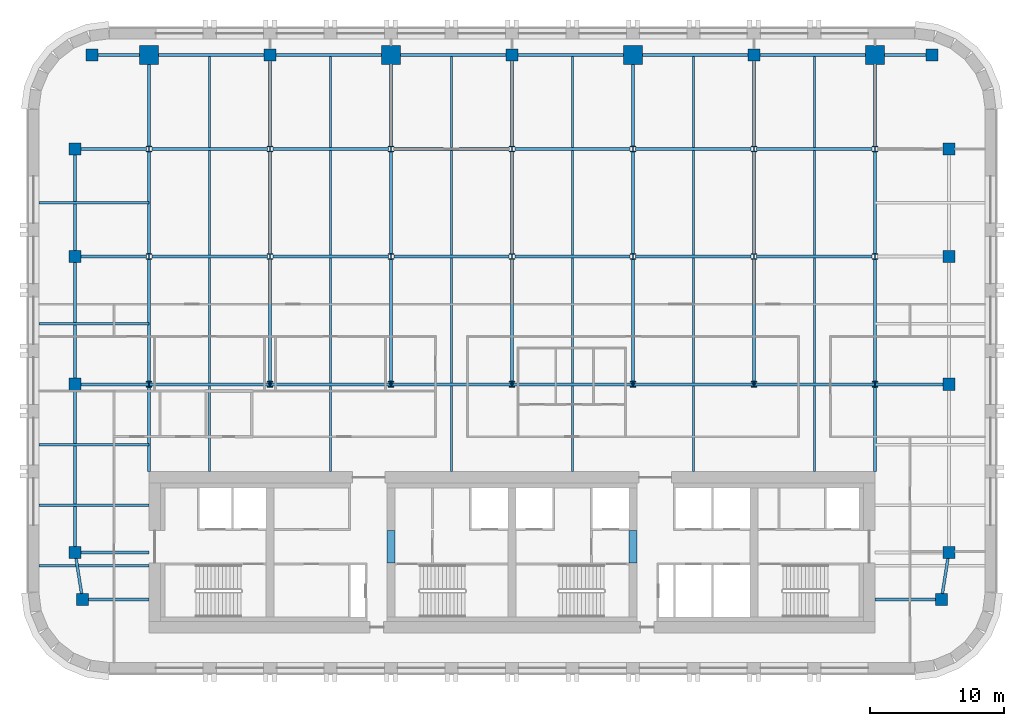
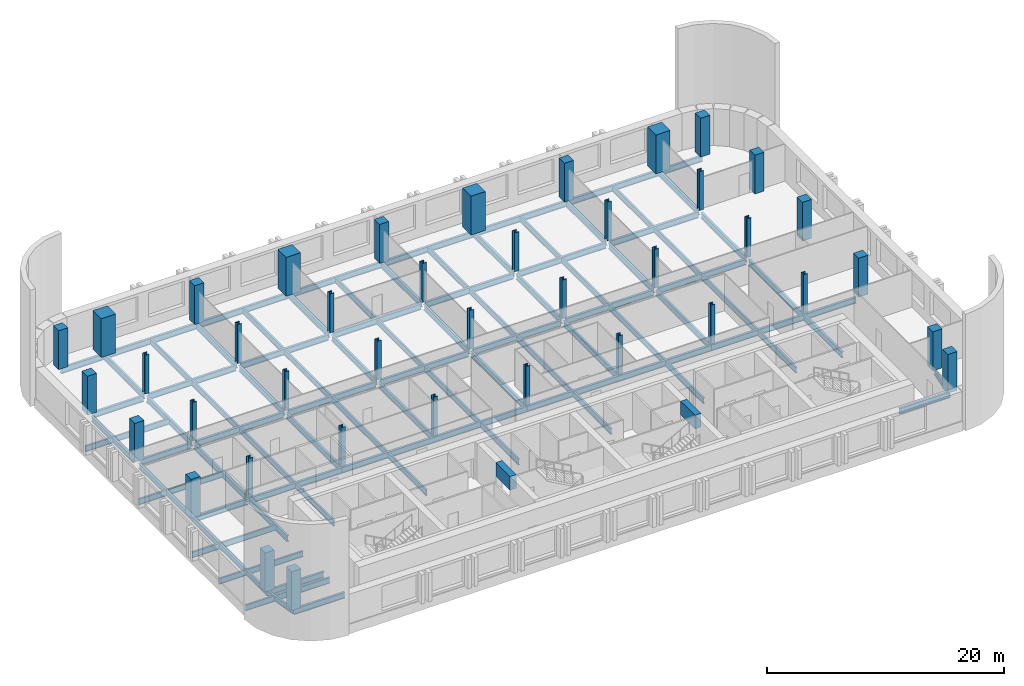
# One storey, part 1 of 9: 64 beams, 40 columns.
"""IFC4 building model written with IfcOpenShell, lengths in metres."""

from ifc_helpers import new_model, si_unit, direction, frame, origin, origin_2d, place, context, subcontext, project, spatial, rectangle, i_section, extrude, material, material_profile, profile_set, type_object, element, save


model = new_model("IFC4")

# Units and contexts
model_context = context("Model", 3, precision=1e-05, world=origin(), true_north=direction((0.0, 1.0)))
body_context = subcontext(model_context, "Body", "Model", "MODEL_VIEW")
ifc_project = project(units=[si_unit("LENGTHUNIT", "METRE"), si_unit("AREAUNIT", "SQUARE_METRE"), si_unit("VOLUMEUNIT", "CUBIC_METRE"), si_unit("PLANEANGLEUNIT", "RADIAN"), si_unit("MASSUNIT", "GRAM", prefix="KILO")], contexts=[model_context])

# Site, building, storey
site_placement = place(None, origin())
site = spatial("IfcSite", under=ifc_project, at=site_placement, CompositionType="ELEMENT")
building_placement = place(site_placement, origin())
building = spatial("IfcBuilding", under=site, at=building_placement, Name="Zellij Exchange Tower", CompositionType="ELEMENT")
storey_placement = place(building_placement, frame((0.0, 0.0, 200.5)))
storey = spatial("IfcBuildingStorey", under=building, at=storey_placement, Name="L46", CompositionType="ELEMENT", Elevation=200.5)

# Columns
ifc_material_1 = material(Name="Concrete C60/75", Category="concrete")
ifc_material_profile_1 = material_profile(ifc_material_1, rectangle(XDim=0.89990234375, YDim=0.89990234375, at=origin_2d()), Name="STR-COLUMN RC900x900 C60/75")
ifc_profile_set_1 = profile_set([ifc_material_profile_1], Name="Concrete C60/75")
column_type_1 = type_object("IfcColumnType", Name="STR-COLUMN RC900x900 C60/75", PredefinedType="COLUMN", material=ifc_profile_set_1)
for number, where, z_axis, x_axis, name in (
    (1, (-31.949951171875, -11.5, 0.0), (0.0, 0.0, 1.0), (1.0, 0.0, 0.0), "C16"),
    (2, (31.949951171875, -11.5, 0.0), (0.0, 0.0, 1.0), (1.0, 0.0, 0.0), "C16"),
    (3, (-32.5, -8.0, 0.0), (0.0, 0.0, 1.0), (1.0, 0.0, 0.0), "C16"),
    (4, (32.5, -8.0, 0.0), (0.0, 0.0, 1.0), (1.0, 0.0, 0.0), "C16"),
    (5, (-32.5, 4.5, 0.0), (0.0, 0.0, 1.0), (1.0, 0.0, 0.0), "C16"),
    (6, (32.5, 4.5, 0.0), (0.0, 0.0, 1.0), (1.0, 0.0, 0.0), "C16"),
    (7, (-32.5, 14.0, 0.0), (0.0, 0.0, 1.0), (1.0, 0.0, 0.0), "C16"),
    (8, (32.5, 14.0, 0.0), (0.0, 0.0, 1.0), (1.0, 0.0, 0.0), "C16"),
    (9, (-32.5, 22.0, 0.0), (0.0, 0.0, 1.0), (1.0, 0.0, 0.0), "C16"),
    (10, (32.5, 22.0, 0.0), (0.0, 0.0, 1.0), (1.0, 0.0, 0.0), "C16"),
    (11, (-31.25, 29.0, 0.0), (0.0, 0.0, 1.0), (1.0, 0.0, 0.0), "C16"),
    (12, (-18.0, 29.0, 0.0), (0.0, 0.0, 1.0), (1.0, 0.0, 0.0), "C16"),
    (13, (0.0, 29.0, 0.0), (0.0, 0.0, 1.0), (1.0, 0.0, 0.0), "C16"),
    (14, (18.0, 29.0, 0.0), (0.0, 0.0, 1.0), (1.0, 0.0, 0.0), "C16"),
    (15, (31.25, 29.0, 0.0), (0.0, 0.0, 1.0), (1.0, 0.0, 0.0), "C16"),
):
    element("IfcColumn", number, at=place(storey_placement, frame(where, z_axis=z_axis, x_axis=x_axis)), inside=storey, type_object=column_type_1, Name=name, PredefinedType="COLUMN", context=body_context, shape_type="SweptSolid", body=[
        extrude(rectangle(XDim=0.89990234375, YDim=0.89990234375, at=origin_2d()), origin(), (0.0, 0.0, 1.0), 4.0),
    ])
ifc_material_2 = material(Name="Structural steel ASTM A913 Gr 65", Category="steel")
ifc_material_profile_2 = material_profile(ifc_material_2, i_section(OverallWidth=0.408935546875, OverallDepth=0.424072265625, WebThickness=0.03271484375, FlangeThickness=0.052490234375, at=origin_2d()), Name="W14x283")
ifc_profile_set_2 = profile_set([ifc_material_profile_2], Name="Structural steel ASTM A913 Gr 65")
column_type_2 = type_object("IfcColumnType", Name="STR-COLUMN W14x283", PredefinedType="COLUMN", material=ifc_profile_set_2)
for number, where, z_axis, x_axis, name in (
    (16, (-27.0, 4.5, 0.0), (0.0, 0.0, 1.0), (1.0, 0.0, 0.0), "C3"),
    (17, (-18.0, 4.5, 0.0), (0.0, 0.0, 1.0), (1.0, 0.0, 0.0), "C3"),
    (18, (-9.0, 4.5, 0.0), (0.0, 0.0, 1.0), (1.0, 0.0, 0.0), "C3"),
    (19, (0.0, 4.5, 0.0), (0.0, 0.0, 1.0), (1.0, 0.0, 0.0), "C3"),
    (20, (9.0, 4.5, 0.0), (0.0, 0.0, 1.0), (1.0, 0.0, 0.0), "C3"),
    (21, (18.0, 4.5, 0.0), (0.0, 0.0, 1.0), (1.0, 0.0, 0.0), "C3"),
    (22, (27.0, 4.5, 0.0), (0.0, 0.0, 1.0), (1.0, 0.0, 0.0), "C3"),
    (23, (-27.0, 14.0, 0.0), (0.0, 0.0, 1.0), (1.0, 0.0, 0.0), "C3"),
    (24, (-18.0, 14.0, 0.0), (0.0, 0.0, 1.0), (1.0, 0.0, 0.0), "C3"),
    (25, (-9.0, 14.0, 0.0), (0.0, 0.0, 1.0), (1.0, 0.0, 0.0), "C3"),
    (26, (0.0, 14.0, 0.0), (0.0, 0.0, 1.0), (1.0, 0.0, 0.0), "C3"),
    (27, (9.0, 14.0, 0.0), (0.0, 0.0, 1.0), (1.0, 0.0, 0.0), "C3"),
    (28, (18.0, 14.0, 0.0), (0.0, 0.0, 1.0), (1.0, 0.0, 0.0), "C3"),
    (29, (27.0, 14.0, 0.0), (0.0, 0.0, 1.0), (1.0, 0.0, 0.0), "C3"),
    (30, (-27.0, 22.0, 0.0), (0.0, 0.0, 1.0), (1.0, 0.0, 0.0), "C3"),
    (31, (-18.0, 22.0, 0.0), (0.0, 0.0, 1.0), (1.0, 0.0, 0.0), "C3"),
    (32, (-9.0, 22.0, 0.0), (0.0, 0.0, 1.0), (1.0, 0.0, 0.0), "C3"),
    (33, (0.0, 22.0, 0.0), (0.0, 0.0, 1.0), (1.0, 0.0, 0.0), "C3"),
    (34, (9.0, 22.0, 0.0), (0.0, 0.0, 1.0), (1.0, 0.0, 0.0), "C3"),
    (35, (18.0, 22.0, 0.0), (0.0, 0.0, 1.0), (1.0, 0.0, 0.0), "C3"),
    (36, (27.0, 22.0, 0.0), (0.0, 0.0, 1.0), (1.0, 0.0, 0.0), "C3"),
):
    element("IfcColumn", number, at=place(storey_placement, frame(where, z_axis=z_axis, x_axis=x_axis)), inside=storey, type_object=column_type_2, Name=name, PredefinedType="COLUMN", context=body_context, shape_type="SweptSolid", body=[
        extrude(i_section(OverallWidth=0.408935546875, OverallDepth=0.424072265625, WebThickness=0.03271484375, FlangeThickness=0.052490234375, at=origin_2d()), origin(), (0.0, 0.0, 1.0), 4.0),
    ])
ifc_material_profile_3 = material_profile(ifc_material_1, rectangle(XDim=1.39990234375, YDim=1.39990234375, at=origin_2d()), Name="STR-MEGA COLUMN RC1400x1400 C60/75")
ifc_profile_set_3 = profile_set([ifc_material_profile_3], Name="Concrete C60/75")
column_type_3 = type_object("IfcColumnType", Name="STR-MEGA COLUMN RC1400x1400 C60/75", PredefinedType="COLUMN", material=ifc_profile_set_3)
for number, where, z_axis, x_axis, name in (
    (37, (-27.0, 29.0, 0.0), (0.0, 0.0, 1.0), (1.0, 0.0, 0.0), "MC3"),
    (38, (-9.0, 29.0, 0.0), (0.0, 0.0, 1.0), (1.0, 0.0, 0.0), "MC3"),
    (39, (9.0, 29.0, 0.0), (0.0, 0.0, 1.0), (1.0, 0.0, 0.0), "MC3"),
    (40, (27.0, 29.0, 0.0), (0.0, 0.0, 1.0), (1.0, 0.0, 0.0), "MC3"),
):
    element("IfcColumn", number, at=place(storey_placement, frame(where, z_axis=z_axis, x_axis=x_axis)), inside=storey, type_object=column_type_3, Name=name, PredefinedType="COLUMN", context=body_context, shape_type="SweptSolid", body=[
        extrude(rectangle(XDim=1.39990234375, YDim=1.39990234375, at=origin_2d()), origin(), (0.0, 0.0, 1.0), 4.0),
    ])

# Beams
ifc_material_profile_4 = material_profile(ifc_material_1, rectangle(XDim=0.60009765625, YDim=1.39990234375, at=origin_2d()), Name="CORE-CB 600x1400 C60/75")
ifc_profile_set_4 = profile_set([ifc_material_profile_4], Name="Concrete C60/75")
beam_type_1 = type_object("IfcBeamType", Name="CORE-CB 600x1400 C60/75", PredefinedType="BEAM", material=ifc_profile_set_4)
for number, where, z_axis, x_axis, name in (
    (41, (-9.0, -8.800048828125, 3.10009765625), (0.0, 1.0, 0.0), (-1.0, 0.0, 0.0), "Core coupling beam x -9 L46"),
    (42, (9.0, -8.800048828125, 3.10009765625), (0.0, 1.0, 0.0), (-1.0, 0.0, 0.0), "Core coupling beam x 9 L46"),
):
    element("IfcBeam", number, at=place(storey_placement, frame(where, z_axis=z_axis, x_axis=x_axis)), inside=storey, type_object=beam_type_1, Name=name, PredefinedType="BEAM", context=body_context, shape_type="SweptSolid", body=[
        extrude(rectangle(XDim=0.60009765625, YDim=1.39990234375, at=origin_2d()), origin(), (0.0, 0.0, 1.0), 2.425048828125),
    ])
ifc_material_3 = material(Name="Structural steel ASTM A992 Gr 50", Category="steel")
ifc_material_profile_5 = material_profile(ifc_material_3, i_section(OverallWidth=0.177978515625, OverallDepth=0.599365234375, WebThickness=0.010009765625, FlangeThickness=0.012939453125, at=origin_2d()), Name="W24x55")
ifc_profile_set_5 = profile_set([ifc_material_profile_5], Name="Structural steel ASTM A992 Gr 50")
beam_type_2 = type_object("IfcBeamType", Name="STR-BEAM W24x55", PredefinedType="BEAM", material=ifc_profile_set_5)
for number, where, z_axis, x_axis, name in (
    (43, (-22.5, -2.0, -0.499755859375), (0.0, 1.0, 0.0), (-1.0, 0.0, 0.0), "B4"),
    (44, (-13.5, -2.0, -0.499755859375), (0.0, 1.0, 0.0), (-1.0, 0.0, 0.0), "B4"),
    (45, (-4.5, -2.0, -0.499755859375), (0.0, 1.0, 0.0), (-1.0, 0.0, 0.0), "B4"),
    (46, (4.5, -2.0, -0.499755859375), (0.0, 1.0, 0.0), (-1.0, 0.0, 0.0), "B4"),
    (47, (13.5, -2.0, -0.499755859375), (0.0, 1.0, 0.0), (-1.0, 0.0, 0.0), "B4"),
    (48, (22.5, -2.0, -0.499755859375), (0.0, 1.0, 0.0), (-1.0, 0.0, 0.0), "B4"),
):
    element("IfcBeam", number, at=place(storey_placement, frame(where, z_axis=z_axis, x_axis=x_axis)), inside=storey, type_object=beam_type_2, Name=name, PredefinedType="BEAM", context=body_context, shape_type="SweptSolid", body=[
        extrude(i_section(OverallWidth=0.177978515625, OverallDepth=0.599365234375, WebThickness=0.010009765625, FlangeThickness=0.012939453125, at=origin_2d()), origin(), (0.0, 0.0, 1.0), 31.1142578125),
    ])
for number, where, z_axis, x_axis, name in (
    (49, (-35.199951171875, -9.0, -0.499755859375), (1.0, 0.0, 0.0), (0.0, 1.0, 0.0), "B4"),
    (50, (-35.199951171875, -4.5, -0.499755859375), (1.0, 0.0, 0.0), (0.0, 1.0, 0.0), "B4"),
    (51, (-35.199951171875, 0.0, -0.499755859375), (1.0, 0.0, 0.0), (0.0, 1.0, 0.0), "B4"),
    (52, (-35.199951171875, 9.0, -0.499755859375), (1.0, 0.0, 0.0), (0.0, 1.0, 0.0), "B4"),
    (53, (-35.199951171875, 18.0, -0.499755859375), (1.0, 0.0, 0.0), (0.0, 1.0, 0.0), "B4"),
):
    element("IfcBeam", number, at=place(storey_placement, frame(where, z_axis=z_axis, x_axis=x_axis)), inside=storey, type_object=beam_type_2, Name=name, PredefinedType="BEAM", context=body_context, shape_type="SweptSolid", body=[
        extrude(i_section(OverallWidth=0.177978515625, OverallDepth=0.599365234375, WebThickness=0.010009765625, FlangeThickness=0.012939453125, at=origin_2d()), origin(), (0.0, 0.0, 1.0), 8.199951171875),
    ])
ifc_material_profile_6 = material_profile(ifc_material_3, i_section(OverallWidth=0.209228515625, OverallDepth=0.533447265625, WebThickness=0.01025390625, FlangeThickness=0.015625, at=origin_2d()), Name="W21x62")
ifc_profile_set_6 = profile_set([ifc_material_profile_6], Name="Structural steel ASTM A992 Gr 50")
beam_type_3 = type_object("IfcBeamType", Name="STR-EDGE GIRDER W21x62", PredefinedType="BEAM", material=ifc_profile_set_6)
beam_1_placement = place(storey_placement, frame((-31.949951171875, -11.5, -0.466796875), z_axis=(-0.155251283593, 0.987875011802, 0.0), x_axis=(-0.987875011802, -0.155251283593, 0.0)))
element("IfcBeam", 54, at=beam_1_placement, inside=storey, type_object=beam_type_3, Name="EB3", PredefinedType="BEAM", context=body_context, shape_type="SweptSolid", body=[
    extrude(i_section(OverallWidth=0.209228515625, OverallDepth=0.533447265625, WebThickness=0.01025390625, FlangeThickness=0.015625, at=origin_2d()), origin(), (0.0, 0.0, 1.0), 3.54296875),
])
beam_2_placement = place(storey_placement, frame((-32.5, -8.0, -0.466796875), z_axis=(0.0, 1.0, 0.0), x_axis=(-1.0, 0.0, 0.0)))
element("IfcBeam", 55, at=beam_2_placement, inside=storey, type_object=beam_type_3, Name="EB3", PredefinedType="BEAM", context=body_context, shape_type="SweptSolid", body=[
    extrude(i_section(OverallWidth=0.209228515625, OverallDepth=0.533447265625, WebThickness=0.01025390625, FlangeThickness=0.015625, at=origin_2d()), origin(), (0.0, 0.0, 1.0), 12.5),
])
beam_3_placement = place(storey_placement, frame((-32.5, 4.5, -0.466796875), z_axis=(0.0, 1.0, 0.0), x_axis=(-1.0, 0.0, 0.0)))
element("IfcBeam", 56, at=beam_3_placement, inside=storey, type_object=beam_type_3, Name="EB3", PredefinedType="BEAM", context=body_context, shape_type="SweptSolid", body=[
    extrude(i_section(OverallWidth=0.209228515625, OverallDepth=0.533447265625, WebThickness=0.01025390625, FlangeThickness=0.015625, at=origin_2d()), origin(), (0.0, 0.0, 1.0), 9.050048828125),
])
beam_4_placement = place(storey_placement, frame((-32.5, 14.449951171875, -0.466796875), z_axis=(0.0, 1.0, 0.0), x_axis=(-1.0, 0.0, 0.0)))
element("IfcBeam", 57, at=beam_4_placement, inside=storey, type_object=beam_type_3, Name="EB3", PredefinedType="BEAM", context=body_context, shape_type="SweptSolid", body=[
    extrude(i_section(OverallWidth=0.209228515625, OverallDepth=0.533447265625, WebThickness=0.01025390625, FlangeThickness=0.015625, at=origin_2d()), origin(), (0.0, 0.0, 1.0), 7.10009765625),
])
beam_5_placement = place(storey_placement, frame((31.949951171875, -11.5, -0.466796875), z_axis=(0.155251283593, 0.987875011802, 0.0), x_axis=(-0.987875011802, 0.155251283593, 0.0)))
element("IfcBeam", 58, at=beam_5_placement, inside=storey, type_object=beam_type_3, Name="EB3", PredefinedType="BEAM", context=body_context, shape_type="SweptSolid", body=[
    extrude(i_section(OverallWidth=0.209228515625, OverallDepth=0.533447265625, WebThickness=0.01025390625, FlangeThickness=0.015625, at=origin_2d()), origin(), (0.0, 0.0, 1.0), 3.54296875),
])
ifc_material_profile_7 = material_profile(ifc_material_3, i_section(OverallWidth=0.228271484375, OverallDepth=0.607177734375, WebThickness=0.01123046875, FlangeThickness=0.017333984375, at=origin_2d()), Name="W24x76")
ifc_profile_set_7 = profile_set([ifc_material_profile_7], Name="Structural steel ASTM A992 Gr 50")
beam_type_4 = type_object("IfcBeamType", Name="STR-GIRDER W24x76", PredefinedType="BEAM", material=ifc_profile_set_7)
for number, where, z_axis, x_axis, name in (
    (59, (-31.949951171875, -11.5, -0.50341796875), (1.0, 0.0, 0.0), (0.0, 1.0, 0.0), "G2"),
    (60, (27.0, -11.5, -0.50341796875), (1.0, 0.0, 0.0), (0.0, 1.0, 0.0), "G2"),
):
    element("IfcBeam", number, at=place(storey_placement, frame(where, z_axis=z_axis, x_axis=x_axis)), inside=storey, type_object=beam_type_4, Name=name, PredefinedType="BEAM", context=body_context, shape_type="SweptSolid", body=[
        extrude(i_section(OverallWidth=0.228271484375, OverallDepth=0.607177734375, WebThickness=0.01123046875, FlangeThickness=0.017333984375, at=origin_2d()), origin(), (0.0, 0.0, 1.0), 4.949951171875),
    ])
beam_6_placement = place(storey_placement, frame((-32.5, -8.0, -0.50341796875), z_axis=(1.0, 0.0, 0.0), x_axis=(0.0, 1.0, 0.0)))
element("IfcBeam", 61, at=beam_6_placement, inside=storey, type_object=beam_type_4, Name="G2", PredefinedType="BEAM", context=body_context, shape_type="SweptSolid", body=[
    extrude(i_section(OverallWidth=0.228271484375, OverallDepth=0.607177734375, WebThickness=0.01123046875, FlangeThickness=0.017333984375, at=origin_2d()), origin(), (0.0, 0.0, 1.0), 5.5),
])
beam_7_placement = place(storey_placement, frame((-32.5, 4.5, -0.50341796875), z_axis=(1.0, 0.0, 0.0), x_axis=(0.0, 1.0, 0.0)))
element("IfcBeam", 62, at=beam_7_placement, inside=storey, type_object=beam_type_4, Name="G2", PredefinedType="BEAM", context=body_context, shape_type="SweptSolid", body=[
    extrude(i_section(OverallWidth=0.228271484375, OverallDepth=0.607177734375, WebThickness=0.01123046875, FlangeThickness=0.017333984375, at=origin_2d()), origin(), (0.0, 0.0, 1.0), 14.5),
])
for number, where, z_axis, x_axis, name in (
    (63, (-18.0, 4.5, -0.50341796875), (1.0, 0.0, 0.0), (0.0, 1.0, 0.0), "G2"),
    (64, (0.0, 4.5, -0.50341796875), (1.0, 0.0, 0.0), (0.0, 1.0, 0.0), "G2"),
):
    element("IfcBeam", number, at=place(storey_placement, frame(where, z_axis=z_axis, x_axis=x_axis)), inside=storey, type_object=beam_type_4, Name=name, PredefinedType="BEAM", context=body_context, shape_type="SweptSolid", body=[
        extrude(i_section(OverallWidth=0.228271484375, OverallDepth=0.607177734375, WebThickness=0.01123046875, FlangeThickness=0.017333984375, at=origin_2d()), origin(), (0.0, 0.0, 1.0), 18.0),
    ])
beam_8_placement = place(storey_placement, frame((18.0, 4.5, -0.50341796875), z_axis=(1.0, 0.0, 0.0), x_axis=(0.0, 1.0, 0.0)))
element("IfcBeam", 65, at=beam_8_placement, inside=storey, type_object=beam_type_4, Name="G2", PredefinedType="BEAM", context=body_context, shape_type="SweptSolid", body=[
    extrude(i_section(OverallWidth=0.228271484375, OverallDepth=0.607177734375, WebThickness=0.01123046875, FlangeThickness=0.017333984375, at=origin_2d()), origin(), (0.0, 0.0, 1.0), 14.050048828125),
])
beam_9_placement = place(storey_placement, frame((-32.050048828125, 14.0, -0.50341796875), z_axis=(1.0, 0.0, 0.0), x_axis=(0.0, 1.0, 0.0)))
element("IfcBeam", 66, at=beam_9_placement, inside=storey, type_object=beam_type_4, Name="G2", PredefinedType="BEAM", context=body_context, shape_type="SweptSolid", body=[
    extrude(i_section(OverallWidth=0.228271484375, OverallDepth=0.607177734375, WebThickness=0.01123046875, FlangeThickness=0.017333984375, at=origin_2d()), origin(), (0.0, 0.0, 1.0), 4.845458984375),
])
for number, where, z_axis, x_axis, name in (
    (67, (-26.79541015625, 14.0, -0.50341796875), (1.0, 0.0, 0.0), (0.0, 1.0, 0.0), "G2"),
    (68, (-17.79541015625, 14.0, -0.50341796875), (1.0, 0.0, 0.0), (0.0, 1.0, 0.0), "G2"),
    (69, (-8.79541015625, 14.0, -0.50341796875), (1.0, 0.0, 0.0), (0.0, 1.0, 0.0), "G2"),
    (70, (0.20458984375, 14.0, -0.50341796875), (1.0, 0.0, 0.0), (0.0, 1.0, 0.0), "G2"),
    (71, (9.20458984375, 14.0, -0.50341796875), (1.0, 0.0, 0.0), (0.0, 1.0, 0.0), "G2"),
    (72, (18.20458984375, 14.0, -0.50341796875), (1.0, 0.0, 0.0), (0.0, 1.0, 0.0), "G2"),
):
    element("IfcBeam", number, at=place(storey_placement, frame(where, z_axis=z_axis, x_axis=x_axis)), inside=storey, type_object=beam_type_4, Name=name, PredefinedType="BEAM", context=body_context, shape_type="SweptSolid", body=[
        extrude(i_section(OverallWidth=0.228271484375, OverallDepth=0.607177734375, WebThickness=0.01123046875, FlangeThickness=0.017333984375, at=origin_2d()), origin(), (0.0, 0.0, 1.0), 8.5908203125),
    ])
beam_10_placement = place(storey_placement, frame((-32.050048828125, 22.0, -0.50341796875), z_axis=(1.0, 0.0, 0.0), x_axis=(0.0, 1.0, 0.0)))
element("IfcBeam", 73, at=beam_10_placement, inside=storey, type_object=beam_type_4, Name="G2", PredefinedType="BEAM", context=body_context, shape_type="SweptSolid", body=[
    extrude(i_section(OverallWidth=0.228271484375, OverallDepth=0.607177734375, WebThickness=0.01123046875, FlangeThickness=0.017333984375, at=origin_2d()), origin(), (0.0, 0.0, 1.0), 4.845458984375),
])
for number, where, z_axis, x_axis, name in (
    (74, (-26.79541015625, 22.0, -0.50341796875), (1.0, 0.0, 0.0), (0.0, 1.0, 0.0), "G2"),
    (75, (-17.79541015625, 22.0, -0.50341796875), (1.0, 0.0, 0.0), (0.0, 1.0, 0.0), "G2"),
    (76, (-8.79541015625, 22.0, -0.50341796875), (1.0, 0.0, 0.0), (0.0, 1.0, 0.0), "G2"),
    (77, (0.20458984375, 22.0, -0.50341796875), (1.0, 0.0, 0.0), (0.0, 1.0, 0.0), "G2"),
    (78, (9.20458984375, 22.0, -0.50341796875), (1.0, 0.0, 0.0), (0.0, 1.0, 0.0), "G2"),
    (79, (18.20458984375, 22.0, -0.50341796875), (1.0, 0.0, 0.0), (0.0, 1.0, 0.0), "G2"),
):
    element("IfcBeam", number, at=place(storey_placement, frame(where, z_axis=z_axis, x_axis=x_axis)), inside=storey, type_object=beam_type_4, Name=name, PredefinedType="BEAM", context=body_context, shape_type="SweptSolid", body=[
        extrude(i_section(OverallWidth=0.228271484375, OverallDepth=0.607177734375, WebThickness=0.01123046875, FlangeThickness=0.017333984375, at=origin_2d()), origin(), (0.0, 0.0, 1.0), 8.5908203125),
    ])
beam_11_placement = place(storey_placement, frame((-31.25, 29.0, -0.50341796875), z_axis=(1.0, 0.0, 0.0), x_axis=(0.0, 1.0, 0.0)))
element("IfcBeam", 80, at=beam_11_placement, inside=storey, type_object=beam_type_4, Name="G2", PredefinedType="BEAM", context=body_context, shape_type="SweptSolid", body=[
    extrude(i_section(OverallWidth=0.228271484375, OverallDepth=0.607177734375, WebThickness=0.01123046875, FlangeThickness=0.017333984375, at=origin_2d()), origin(), (0.0, 0.0, 1.0), 13.25),
])
for number, where, z_axis, x_axis, name in (
    (81, (-18.0, 29.0, -0.50341796875), (1.0, 0.0, 0.0), (0.0, 1.0, 0.0), "G2"),
    (82, (0.0, 29.0, -0.50341796875), (1.0, 0.0, 0.0), (0.0, 1.0, 0.0), "G2"),
):
    element("IfcBeam", number, at=place(storey_placement, frame(where, z_axis=z_axis, x_axis=x_axis)), inside=storey, type_object=beam_type_4, Name=name, PredefinedType="BEAM", context=body_context, shape_type="SweptSolid", body=[
        extrude(i_section(OverallWidth=0.228271484375, OverallDepth=0.607177734375, WebThickness=0.01123046875, FlangeThickness=0.017333984375, at=origin_2d()), origin(), (0.0, 0.0, 1.0), 18.0),
    ])
beam_12_placement = place(storey_placement, frame((18.0, 29.0, -0.50341796875), z_axis=(1.0, 0.0, 0.0), x_axis=(0.0, 1.0, 0.0)))
element("IfcBeam", 83, at=beam_12_placement, inside=storey, type_object=beam_type_4, Name="G2", PredefinedType="BEAM", context=body_context, shape_type="SweptSolid", body=[
    extrude(i_section(OverallWidth=0.228271484375, OverallDepth=0.607177734375, WebThickness=0.01123046875, FlangeThickness=0.017333984375, at=origin_2d()), origin(), (0.0, 0.0, 1.0), 13.25),
])
beam_13_placement = place(storey_placement, frame((-27.0, -2.0, -0.50341796875), z_axis=(0.0, 1.0, 0.0), x_axis=(-1.0, 0.0, 0.0)))
element("IfcBeam", 84, at=beam_13_placement, inside=storey, type_object=beam_type_4, Name="G2", PredefinedType="BEAM", context=body_context, shape_type="SweptSolid", body=[
    extrude(i_section(OverallWidth=0.228271484375, OverallDepth=0.607177734375, WebThickness=0.01123046875, FlangeThickness=0.017333984375, at=origin_2d()), origin(), (0.0, 0.0, 1.0), 15.787841796875),
])
beam_14_placement = place(storey_placement, frame((-27.0, 14.212158203125, -0.50341796875), z_axis=(0.0, 1.0, 0.0), x_axis=(-1.0, 0.0, 0.0)))
element("IfcBeam", 85, at=beam_14_placement, inside=storey, type_object=beam_type_4, Name="G2", PredefinedType="BEAM", context=body_context, shape_type="SweptSolid", body=[
    extrude(i_section(OverallWidth=0.228271484375, OverallDepth=0.607177734375, WebThickness=0.01123046875, FlangeThickness=0.017333984375, at=origin_2d()), origin(), (0.0, 0.0, 1.0), 7.57568359375),
])
beam_15_placement = place(storey_placement, frame((-27.0, 22.212158203125, -0.50341796875), z_axis=(0.0, 1.0, 0.0), x_axis=(-1.0, 0.0, 0.0)))
element("IfcBeam", 86, at=beam_15_placement, inside=storey, type_object=beam_type_4, Name="G2", PredefinedType="BEAM", context=body_context, shape_type="SweptSolid", body=[
    extrude(i_section(OverallWidth=0.228271484375, OverallDepth=0.607177734375, WebThickness=0.01123046875, FlangeThickness=0.017333984375, at=origin_2d()), origin(), (0.0, 0.0, 1.0), 6.787841796875),
])
beam_16_placement = place(storey_placement, frame((-18.0, 4.5, -0.50341796875), z_axis=(0.0, 1.0, 0.0), x_axis=(-1.0, 0.0, 0.0)))
element("IfcBeam", 87, at=beam_16_placement, inside=storey, type_object=beam_type_4, Name="G2", PredefinedType="BEAM", context=body_context, shape_type="SweptSolid", body=[
    extrude(i_section(OverallWidth=0.228271484375, OverallDepth=0.607177734375, WebThickness=0.01123046875, FlangeThickness=0.017333984375, at=origin_2d()), origin(), (0.0, 0.0, 1.0), 9.287841796875),
])
beam_17_placement = place(storey_placement, frame((-18.0, 14.212158203125, -0.50341796875), z_axis=(0.0, 1.0, 0.0), x_axis=(-1.0, 0.0, 0.0)))
element("IfcBeam", 88, at=beam_17_placement, inside=storey, type_object=beam_type_4, Name="G2", PredefinedType="BEAM", context=body_context, shape_type="SweptSolid", body=[
    extrude(i_section(OverallWidth=0.228271484375, OverallDepth=0.607177734375, WebThickness=0.01123046875, FlangeThickness=0.017333984375, at=origin_2d()), origin(), (0.0, 0.0, 1.0), 7.57568359375),
])
beam_18_placement = place(storey_placement, frame((-18.0, 22.212158203125, -0.50341796875), z_axis=(0.0, 1.0, 0.0), x_axis=(-1.0, 0.0, 0.0)))
element("IfcBeam", 89, at=beam_18_placement, inside=storey, type_object=beam_type_4, Name="G2", PredefinedType="BEAM", context=body_context, shape_type="SweptSolid", body=[
    extrude(i_section(OverallWidth=0.228271484375, OverallDepth=0.607177734375, WebThickness=0.01123046875, FlangeThickness=0.017333984375, at=origin_2d()), origin(), (0.0, 0.0, 1.0), 6.787841796875),
])
beam_19_placement = place(storey_placement, frame((-9.0, 4.5, -0.50341796875), z_axis=(0.0, 1.0, 0.0), x_axis=(-1.0, 0.0, 0.0)))
element("IfcBeam", 90, at=beam_19_placement, inside=storey, type_object=beam_type_4, Name="G2", PredefinedType="BEAM", context=body_context, shape_type="SweptSolid", body=[
    extrude(i_section(OverallWidth=0.228271484375, OverallDepth=0.607177734375, WebThickness=0.01123046875, FlangeThickness=0.017333984375, at=origin_2d()), origin(), (0.0, 0.0, 1.0), 9.287841796875),
])
beam_20_placement = place(storey_placement, frame((-9.0, 14.212158203125, -0.50341796875), z_axis=(0.0, 1.0, 0.0), x_axis=(-1.0, 0.0, 0.0)))
element("IfcBeam", 91, at=beam_20_placement, inside=storey, type_object=beam_type_4, Name="G2", PredefinedType="BEAM", context=body_context, shape_type="SweptSolid", body=[
    extrude(i_section(OverallWidth=0.228271484375, OverallDepth=0.607177734375, WebThickness=0.01123046875, FlangeThickness=0.017333984375, at=origin_2d()), origin(), (0.0, 0.0, 1.0), 7.57568359375),
])
beam_21_placement = place(storey_placement, frame((-9.0, 22.212158203125, -0.50341796875), z_axis=(0.0, 1.0, 0.0), x_axis=(-1.0, 0.0, 0.0)))
element("IfcBeam", 92, at=beam_21_placement, inside=storey, type_object=beam_type_4, Name="G2", PredefinedType="BEAM", context=body_context, shape_type="SweptSolid", body=[
    extrude(i_section(OverallWidth=0.228271484375, OverallDepth=0.607177734375, WebThickness=0.01123046875, FlangeThickness=0.017333984375, at=origin_2d()), origin(), (0.0, 0.0, 1.0), 6.787841796875),
])
beam_22_placement = place(storey_placement, frame((0.0, 4.5, -0.50341796875), z_axis=(0.0, 1.0, 0.0), x_axis=(-1.0, 0.0, 0.0)))
element("IfcBeam", 93, at=beam_22_placement, inside=storey, type_object=beam_type_4, Name="G2", PredefinedType="BEAM", context=body_context, shape_type="SweptSolid", body=[
    extrude(i_section(OverallWidth=0.228271484375, OverallDepth=0.607177734375, WebThickness=0.01123046875, FlangeThickness=0.017333984375, at=origin_2d()), origin(), (0.0, 0.0, 1.0), 9.287841796875),
])
beam_23_placement = place(storey_placement, frame((0.0, 14.212158203125, -0.50341796875), z_axis=(0.0, 1.0, 0.0), x_axis=(-1.0, 0.0, 0.0)))
element("IfcBeam", 94, at=beam_23_placement, inside=storey, type_object=beam_type_4, Name="G2", PredefinedType="BEAM", context=body_context, shape_type="SweptSolid", body=[
    extrude(i_section(OverallWidth=0.228271484375, OverallDepth=0.607177734375, WebThickness=0.01123046875, FlangeThickness=0.017333984375, at=origin_2d()), origin(), (0.0, 0.0, 1.0), 7.57568359375),
])
beam_24_placement = place(storey_placement, frame((0.0, 22.212158203125, -0.50341796875), z_axis=(0.0, 1.0, 0.0), x_axis=(-1.0, 0.0, 0.0)))
element("IfcBeam", 95, at=beam_24_placement, inside=storey, type_object=beam_type_4, Name="G2", PredefinedType="BEAM", context=body_context, shape_type="SweptSolid", body=[
    extrude(i_section(OverallWidth=0.228271484375, OverallDepth=0.607177734375, WebThickness=0.01123046875, FlangeThickness=0.017333984375, at=origin_2d()), origin(), (0.0, 0.0, 1.0), 6.787841796875),
])
beam_25_placement = place(storey_placement, frame((9.0, 4.5, -0.50341796875), z_axis=(0.0, 1.0, 0.0), x_axis=(-1.0, 0.0, 0.0)))
element("IfcBeam", 96, at=beam_25_placement, inside=storey, type_object=beam_type_4, Name="G2", PredefinedType="BEAM", context=body_context, shape_type="SweptSolid", body=[
    extrude(i_section(OverallWidth=0.228271484375, OverallDepth=0.607177734375, WebThickness=0.01123046875, FlangeThickness=0.017333984375, at=origin_2d()), origin(), (0.0, 0.0, 1.0), 9.287841796875),
])
beam_26_placement = place(storey_placement, frame((9.0, 14.212158203125, -0.50341796875), z_axis=(0.0, 1.0, 0.0), x_axis=(-1.0, 0.0, 0.0)))
element("IfcBeam", 97, at=beam_26_placement, inside=storey, type_object=beam_type_4, Name="G2", PredefinedType="BEAM", context=body_context, shape_type="SweptSolid", body=[
    extrude(i_section(OverallWidth=0.228271484375, OverallDepth=0.607177734375, WebThickness=0.01123046875, FlangeThickness=0.017333984375, at=origin_2d()), origin(), (0.0, 0.0, 1.0), 7.57568359375),
])
beam_27_placement = place(storey_placement, frame((9.0, 22.212158203125, -0.50341796875), z_axis=(0.0, 1.0, 0.0), x_axis=(-1.0, 0.0, 0.0)))
element("IfcBeam", 98, at=beam_27_placement, inside=storey, type_object=beam_type_4, Name="G2", PredefinedType="BEAM", context=body_context, shape_type="SweptSolid", body=[
    extrude(i_section(OverallWidth=0.228271484375, OverallDepth=0.607177734375, WebThickness=0.01123046875, FlangeThickness=0.017333984375, at=origin_2d()), origin(), (0.0, 0.0, 1.0), 6.787841796875),
])
beam_28_placement = place(storey_placement, frame((18.0, 4.5, -0.50341796875), z_axis=(0.0, 1.0, 0.0), x_axis=(-1.0, 0.0, 0.0)))
element("IfcBeam", 99, at=beam_28_placement, inside=storey, type_object=beam_type_4, Name="G2", PredefinedType="BEAM", context=body_context, shape_type="SweptSolid", body=[
    extrude(i_section(OverallWidth=0.228271484375, OverallDepth=0.607177734375, WebThickness=0.01123046875, FlangeThickness=0.017333984375, at=origin_2d()), origin(), (0.0, 0.0, 1.0), 9.287841796875),
])
beam_29_placement = place(storey_placement, frame((18.0, 14.212158203125, -0.50341796875), z_axis=(0.0, 1.0, 0.0), x_axis=(-1.0, 0.0, 0.0)))
element("IfcBeam", 100, at=beam_29_placement, inside=storey, type_object=beam_type_4, Name="G2", PredefinedType="BEAM", context=body_context, shape_type="SweptSolid", body=[
    extrude(i_section(OverallWidth=0.228271484375, OverallDepth=0.607177734375, WebThickness=0.01123046875, FlangeThickness=0.017333984375, at=origin_2d()), origin(), (0.0, 0.0, 1.0), 7.57568359375),
])
beam_30_placement = place(storey_placement, frame((18.0, 22.212158203125, -0.50341796875), z_axis=(0.0, 1.0, 0.0), x_axis=(-1.0, 0.0, 0.0)))
element("IfcBeam", 101, at=beam_30_placement, inside=storey, type_object=beam_type_4, Name="G2", PredefinedType="BEAM", context=body_context, shape_type="SweptSolid", body=[
    extrude(i_section(OverallWidth=0.228271484375, OverallDepth=0.607177734375, WebThickness=0.01123046875, FlangeThickness=0.017333984375, at=origin_2d()), origin(), (0.0, 0.0, 1.0), 6.787841796875),
])
beam_31_placement = place(storey_placement, frame((27.0, -2.0, -0.50341796875), z_axis=(0.0, 1.0, 0.0), x_axis=(-1.0, 0.0, 0.0)))
element("IfcBeam", 102, at=beam_31_placement, inside=storey, type_object=beam_type_4, Name="G2", PredefinedType="BEAM", context=body_context, shape_type="SweptSolid", body=[
    extrude(i_section(OverallWidth=0.228271484375, OverallDepth=0.607177734375, WebThickness=0.01123046875, FlangeThickness=0.017333984375, at=origin_2d()), origin(), (0.0, 0.0, 1.0), 15.787841796875),
])
beam_32_placement = place(storey_placement, frame((27.0, 14.212158203125, -0.50341796875), z_axis=(0.0, 1.0, 0.0), x_axis=(-1.0, 0.0, 0.0)))
element("IfcBeam", 103, at=beam_32_placement, inside=storey, type_object=beam_type_4, Name="G2", PredefinedType="BEAM", context=body_context, shape_type="SweptSolid", body=[
    extrude(i_section(OverallWidth=0.228271484375, OverallDepth=0.607177734375, WebThickness=0.01123046875, FlangeThickness=0.017333984375, at=origin_2d()), origin(), (0.0, 0.0, 1.0), 7.57568359375),
])
beam_33_placement = place(storey_placement, frame((27.0, 22.212158203125, -0.50341796875), z_axis=(0.0, 1.0, 0.0), x_axis=(-1.0, 0.0, 0.0)))
element("IfcBeam", 104, at=beam_33_placement, inside=storey, type_object=beam_type_4, Name="G2", PredefinedType="BEAM", context=body_context, shape_type="SweptSolid", body=[
    extrude(i_section(OverallWidth=0.228271484375, OverallDepth=0.607177734375, WebThickness=0.01123046875, FlangeThickness=0.017333984375, at=origin_2d()), origin(), (0.0, 0.0, 1.0), 6.787841796875),
])

save(model, "model.ifc")
